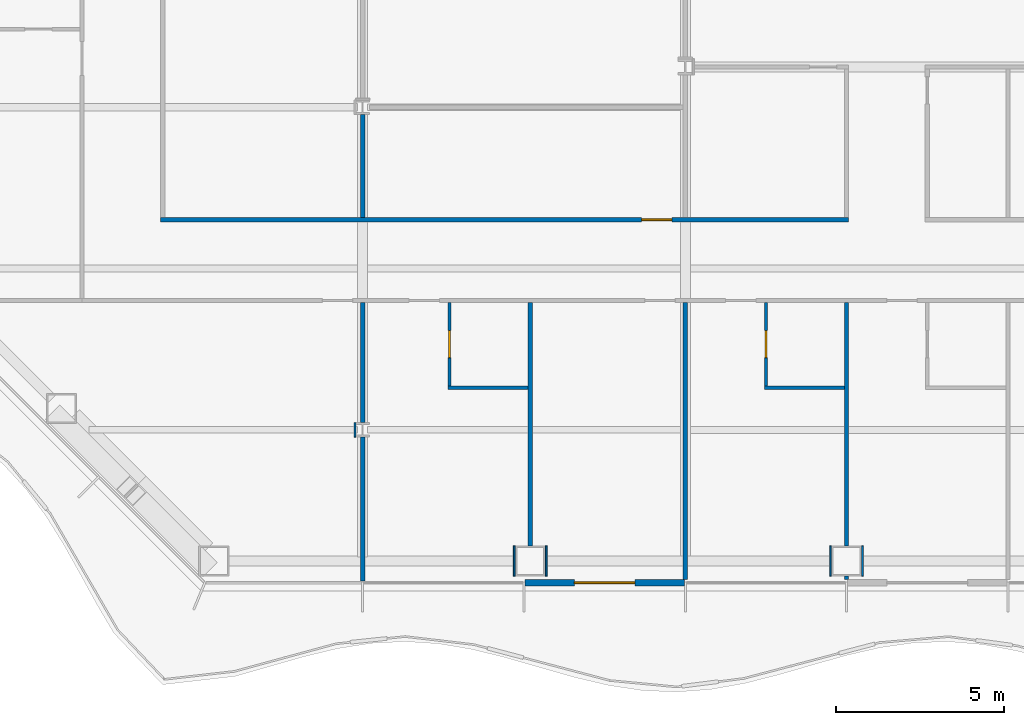
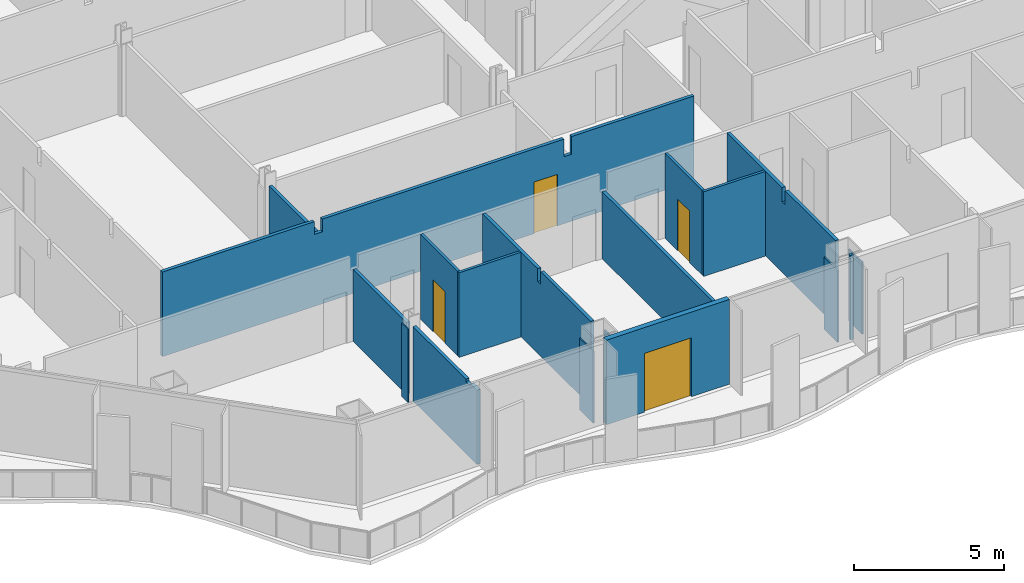
# One storey, part 6 of 20: 18 walls, 4 doors, 4 openings.
"""IFC4 building model written with IfcOpenShell, lengths in metres."""

from ifc_helpers import new_model, si_unit, direction, frame, frame_2d, origin, place, context, subcontext, project, spatial, polyline, rectangle, outline, extrude, material, layer, layer_set, type_object, element, fill, save


model = new_model("IFC4")

# Units and contexts
model_context = context("Model", 3, precision=1e-05, world=origin(), true_north=direction((0.0, 1.0)))
body_context = subcontext(model_context, "Body", "Model", "MODEL_VIEW")
ifc_project = project(units=[si_unit("LENGTHUNIT", "METRE"), si_unit("AREAUNIT", "SQUARE_METRE"), si_unit("VOLUMEUNIT", "CUBIC_METRE"), si_unit("PLANEANGLEUNIT", "RADIAN"), si_unit("MASSUNIT", "GRAM", prefix="KILO")], contexts=[model_context])

# Site, building, storey
site_placement = place(None, origin())
site = spatial("IfcSite", under=ifc_project, at=site_placement, CompositionType="ELEMENT")
building_placement = place(site_placement, origin())
building = spatial("IfcBuilding", under=site, at=building_placement, Name="Cairn Pilgrim Tower", CompositionType="ELEMENT")
storey_placement = place(building_placement, frame((0.0, 0.0, 83.39990234375)))
storey = spatial("IfcBuildingStorey", under=building, at=storey_placement, Name="L19", CompositionType="ELEMENT", Elevation=83.39990234375)

# Wall, opening, door
ifc_material_1 = material(Name="Bronze anodised aluminium insulated sandwich panel with mineral wool fill", Category="aluminium")
ifc_layer_1 = layer(ifc_material_1, 0.199951171875)
ifc_layer_set_1 = layer_set([ifc_layer_1], Name="BRONZE INFILL FRAME WALL 200")
wall_type_1 = type_object("IfcWallType", Name="BRONZE INFILL FRAME WALL 200", PredefinedType="NOTDEFINED", material=ifc_layer_set_1)
wall_1_placement = place(storey_placement, frame((-9.570068359375, -23.75, 0.0), z_axis=(0.0, 0.0, 1.0), x_axis=(1.0, 0.0, 0.0)))
wall_1 = element("IfcWall", 1, at=wall_1_placement, inside=storey, type_object=wall_type_1, Name="Bronze infill frame wall IW-S3", PredefinedType="NOTDEFINED", context=body_context, shape_type="SweptSolid", body=[
    extrude(rectangle(XDim=4.739990234375, YDim=0.199951171875, at=frame_2d((2.3701171875, 0.0))), origin(), (0.0, 0.0, 1.0), 3.4501953125),
])
opening_1_placement = place(wall_1_placement, frame((1.469970703125, 0.0, 0.0)))
opening_1 = element("IfcOpeningElement", 2, at=opening_1_placement, cuts=wall_1, Name="Opening 1903B", PredefinedType="OPENING", context=body_context, shape_type="SweptSolid", body=[
    extrude(rectangle(XDim=1.800048828125, YDim=2.39990234375, at=frame_2d((0.89990234375, 1.199951171875))), frame((0.0, 0.10986328125, 0.0), z_axis=(0.0, -1.0, 0.0), x_axis=(1.0, 0.0, 0.0)), (0.0, 0.0, 1.0), 0.219970703125),
])
ifc_material_2 = material(Name="Bronze anodised aluminium frame with tinted low-E glass", Category="aluminium")
door_type_1 = type_object("IfcDoorType", Name="BALCONY SLIDING DOOR 1800x2400", OperationType="DOUBLE_DOOR_SLIDING", PredefinedType="DOOR", material=ifc_material_2)
door_1_placement = place(opening_1_placement, origin())
door_1 = element("IfcDoor", 3, at=door_1_placement, inside=storey, type_object=door_type_1, Name="Balcony sliding door 1903B", OperationType="SINGLE_SWING_LEFT", OverallHeight=2.39990234375, OverallWidth=1.800048828125, PredefinedType="DOOR", context=body_context, shape_type="SweptSolid", body=[
    extrude(rectangle(XDim=1.800048828125, YDim=2.39990234375, at=frame_2d((0.89990234375, 1.199951171875))), frame((0.0, 0.02490234375, 0.0), z_axis=(0.0, -1.0, 0.0), x_axis=(1.0, 0.0, 0.0)), (0.0, 0.0, 1.0), 0.050048828125),
])
fill(opening_1, door_1)

# Wall
ifc_material_3 = material(Name="Gypsum partition")
ifc_layer_2 = layer(ifc_material_3, 0.10009765625)
ifc_layer_set_2 = layer_set([ifc_layer_2], Name="PARTITION 100 DRYWALL")
wall_type_2 = type_object("IfcWallType", Name="PARTITION 100 DRYWALL", PredefinedType="PARTITIONING", material=ifc_layer_set_2)
wall_2_placement = place(storey_placement, frame((-11.864013671875, -17.949951171875, 0.0), z_axis=(0.0, 0.0, 1.0), x_axis=(1.0, 0.0, 0.0)))
element("IfcWall", 4, at=wall_2_placement, inside=storey, type_object=wall_type_2, Name="PARTITION W012", PredefinedType="PARTITIONING", context=body_context, shape_type="SweptSolid", body=[
    extrude(rectangle(XDim=2.387451171875, YDim=0.10009765625, at=frame_2d((1.19384765625, 0.0))), origin(), (0.0, 0.0, 1.0), 3.4501953125),
])

# Wall, opening, door
wall_3_placement = place(storey_placement, frame((-11.81396484375, -17.89990234375, 0.0), z_axis=(0.0, 0.0, 1.0), x_axis=(0.0, 1.0, 0.0)))
wall_3 = element("IfcWall", 5, at=wall_3_placement, inside=storey, type_object=wall_type_2, Name="PARTITION W013", PredefinedType="PARTITIONING", context=body_context, shape_type="SweptSolid", body=[
    extrude(rectangle(XDim=2.4873046875, YDim=0.10009765625, at=frame_2d((1.24365234375, 0.0))), origin(), (0.0, 0.0, 1.0), 3.4501953125),
])
opening_2_placement = place(wall_3_placement, frame((0.85009765625, 0.0, 0.0)))
opening_2 = element("IfcOpeningElement", 6, at=opening_2_placement, cuts=wall_3, Name="Opening 1902E", PredefinedType="OPENING", context=body_context, shape_type="SweptSolid", body=[
    extrude(rectangle(XDim=0.800048828125, YDim=2.10009765625, at=frame_2d((0.39990234375, 1.050048828125))), frame((0.0, 0.06005859375, 0.0), z_axis=(0.0, -1.0, 0.0), x_axis=(1.0, 0.0, 0.0)), (0.0, 0.0, 1.0), 0.1201171875),
])
ifc_material_4 = material(Name="Timber door leaf", Category="wood")
door_type_2 = type_object("IfcDoorType", Name="DOOR 800x2100", OperationType="NOTDEFINED", PredefinedType="DOOR", material=ifc_material_4)
door_2_placement = place(opening_2_placement, frame((0.800048828125, 0.0, 0.0), z_axis=(0.0, 0.0, 1.0), x_axis=(-1.0, 0.0, 0.0)))
door_2 = element("IfcDoor", 7, at=door_2_placement, inside=storey, type_object=door_type_2, Name="DOOR 1902E", OperationType="SINGLE_SWING_RIGHT", OverallHeight=2.10009765625, OverallWidth=0.800048828125, PredefinedType="DOOR", context=body_context, shape_type="SweptSolid", body=[
    extrude(rectangle(XDim=0.800048828125, YDim=2.10009765625, at=frame_2d((0.39990234375, 1.050048828125))), frame((0.0, 0.02490234375, 0.0), z_axis=(0.0, -1.0, 0.0), x_axis=(1.0, 0.0, 0.0)), (0.0, 0.0, 1.0), 0.050048828125),
])
fill(opening_2, door_2)

# Wall
wall_4_placement = place(storey_placement, frame((-2.449951171875, -17.949951171875, 0.0), z_axis=(0.0, 0.0, 1.0), x_axis=(1.0, 0.0, 0.0)))
element("IfcWall", 8, at=wall_4_placement, inside=storey, type_object=wall_type_2, Name="PARTITION W014", PredefinedType="PARTITIONING", context=body_context, shape_type="SweptSolid", body=[
    extrude(rectangle(XDim=2.387451171875, YDim=0.10009765625, at=frame_2d((1.19384765625, 0.0))), origin(), (0.0, 0.0, 1.0), 3.4501953125),
])

# Wall, opening, door
wall_5_placement = place(storey_placement, frame((-2.39990234375, -17.89990234375, 0.0), z_axis=(0.0, 0.0, 1.0), x_axis=(0.0, 1.0, 0.0)))
wall_5 = element("IfcWall", 9, at=wall_5_placement, inside=storey, type_object=wall_type_2, Name="PARTITION W015", PredefinedType="PARTITIONING", context=body_context, shape_type="SweptSolid", body=[
    extrude(rectangle(XDim=2.4873046875, YDim=0.10009765625, at=frame_2d((1.24365234375, 0.0))), origin(), (0.0, 0.0, 1.0), 3.4501953125),
])
opening_3_placement = place(wall_5_placement, frame((0.85009765625, 0.0, 0.0)))
opening_3 = element("IfcOpeningElement", 10, at=opening_3_placement, cuts=wall_5, Name="Opening 1904E", PredefinedType="OPENING", context=body_context, shape_type="SweptSolid", body=[
    extrude(rectangle(XDim=0.800048828125, YDim=2.10009765625, at=frame_2d((0.39990234375, 1.050048828125))), frame((0.0, 0.06005859375, 0.0), z_axis=(0.0, -1.0, 0.0), x_axis=(1.0, 0.0, 0.0)), (0.0, 0.0, 1.0), 0.1201171875),
])
door_3_placement = place(opening_3_placement, frame((0.800048828125, 0.0, 0.0), z_axis=(0.0, 0.0, 1.0), x_axis=(-1.0, 0.0, 0.0)))
door_3 = element("IfcDoor", 11, at=door_3_placement, inside=storey, type_object=door_type_2, Name="DOOR 1904E", OperationType="SINGLE_SWING_LEFT", OverallHeight=2.10009765625, OverallWidth=0.800048828125, PredefinedType="DOOR", context=body_context, shape_type="SweptSolid", body=[
    extrude(rectangle(XDim=0.800048828125, YDim=2.10009765625, at=frame_2d((0.39990234375, 1.050048828125))), frame((0.0, 0.02490234375, 0.0), z_axis=(0.0, -1.0, 0.0), x_axis=(1.0, 0.0, 0.0)), (0.0, 0.0, 1.0), 0.050048828125),
])
fill(opening_3, door_3)

# Walls
ifc_layer_3 = layer(ifc_material_3, 0.125)
ifc_layer_set_3 = layer_set([ifc_layer_3], Name="PARTITION 125 DRYWALL EI 60")
wall_type_3 = type_object("IfcWallType", Name="PARTITION 125 DRYWALL EI 60", PredefinedType="PARTITIONING", material=ifc_layer_set_3)
wall_6_placement = place(storey_placement, frame((-14.39990234375, -23.68994140625, 0.0), z_axis=(0.0, 0.0, 1.0), x_axis=(0.0, 1.0, 0.0)))
element("IfcWall", 12, at=wall_6_placement, inside=storey, type_object=wall_type_3, Name="PARTITION W001", PredefinedType="PARTITIONING", context=body_context, shape_type="SweptSolid", body=[
    extrude(outline(polyline([(0.0, 0.0), (4.27734375, 0.0), (4.277587890625, 3.030029296875), (0.739990234375, 3.030029296875), (0.738037109375, 2.93017578125), (0.43994140625, 2.93017578125), (0.43798828125, 3.030029296875), (0.0, 3.030029296875), (0.0, 0.0)])), frame((0.0, 0.0625, 0.0), z_axis=(0.0, -1.0, 0.0), x_axis=(1.0, 0.0, 0.0)), (0.0, 0.0, 1.0), 0.125),
])
wall_7_placement = place(storey_placement, frame((-4.800048828125, -23.64990234375, 0.0), z_axis=(0.0, 0.0, 1.0), x_axis=(0.0, 1.0, 0.0)))
element("IfcWall", 13, at=wall_7_placement, inside=storey, type_object=wall_type_3, Name="PARTITION W002", PredefinedType="PARTITIONING", context=body_context, shape_type="SweptSolid", body=[
    extrude(rectangle(XDim=8.2373046875, YDim=0.125, at=frame_2d((4.11865234375, 0.0))), origin(), (0.0, 0.0, 1.0), 2.72998046875),
])
wall_8_placement = place(storey_placement, frame((0.0, -23.64990234375, 0.0), z_axis=(0.0, 0.0, 1.0), x_axis=(0.0, 1.0, 0.0)))
element("IfcWall", 14, at=wall_8_placement, inside=storey, type_object=wall_type_3, Name="PARTITION W003", PredefinedType="PARTITIONING", context=body_context, shape_type="SweptSolid", body=[
    extrude(rectangle(XDim=0.099853515625, YDim=0.125, at=frame_2d((0.0498046875, 0.0))), origin(), (0.0, 0.0, 1.0), 3.4501953125),
])
wall_9_placement = place(storey_placement, frame((0.0, -22.64990234375, 0.0), z_axis=(0.0, 0.0, 1.0), x_axis=(0.0, 1.0, 0.0)))
element("IfcWall", 15, at=wall_9_placement, inside=storey, type_object=wall_type_3, Name="PARTITION W007", PredefinedType="PARTITIONING", context=body_context, shape_type="SweptSolid", body=[
    extrude(outline(polyline([(0.0, 0.0), (7.2373046875, 0.0), (7.237548828125, 3.4501953125), (3.554931640625, 3.4501953125), (3.552978515625, 2.880126953125), (3.344970703125, 2.880126953125), (3.343017578125, 3.4501953125), (0.0, 3.4501953125), (0.0, 0.0)])), frame((0.0, 0.0625, 0.0), z_axis=(0.0, -1.0, 0.0), x_axis=(1.0, 0.0, 0.0)), (0.0, 0.0, 1.0), 0.125),
])
wall_10_placement = place(storey_placement, frame((-9.4140625, -22.64990234375, 0.0), z_axis=(0.0, 0.0, 1.0), x_axis=(0.0, 1.0, 0.0)))
element("IfcWall", 16, at=wall_10_placement, inside=storey, type_object=wall_type_3, Name="PARTITION W008", PredefinedType="PARTITIONING", context=body_context, shape_type="SweptSolid", body=[
    extrude(outline(polyline([(0.0, 0.0), (7.2373046875, 0.0), (7.237548828125, 3.4501953125), (3.550048828125, 3.4501953125), (3.548095703125, 2.93017578125), (3.35009765625, 2.93017578125), (3.347900390625, 3.4501953125), (0.0, 3.4501953125), (0.0, 0.0)])), frame((0.0, 0.0625, 0.0), z_axis=(0.0, -1.0, 0.0), x_axis=(1.0, 0.0, 0.0)), (0.0, 0.0, 1.0), 0.125),
])
wall_11_placement = place(storey_placement, frame((-14.39990234375, -18.987548828125, 0.0), z_axis=(0.0, 0.0, 1.0), x_axis=(0.0, 1.0, 0.0)))
element("IfcWall", 17, at=wall_11_placement, inside=storey, type_object=wall_type_3, Name="PARTITION W011", PredefinedType="PARTITIONING", context=body_context, shape_type="SweptSolid", body=[
    extrude(rectangle(XDim=3.574951171875, YDim=0.125, at=frame_2d((1.78759765625, 0.0))), origin(), (0.0, 0.0, 1.0), 2.93017578125),
])

# Wall, opening, door
wall_12_placement = place(storey_placement, frame((-20.41259765625, -12.949951171875, 0.0), z_axis=(0.0, 0.0, 1.0), x_axis=(1.0, 0.0, 0.0)))
wall_12 = element("IfcWall", 18, at=wall_12_placement, inside=storey, type_object=wall_type_3, Name="PARTITION W026", PredefinedType="PARTITIONING", context=body_context, shape_type="SweptSolid", body=[
    extrude(outline(polyline([(0.0, 0.0), (20.47509765625, 0.0), (20.47509765625, 3.4501953125), (15.762451171875, 3.4501953125), (15.760498046875, 2.72998046875), (15.46240234375, 2.72998046875), (15.46044921875, 3.4501953125), (6.16259765625, 3.4501953125), (6.160400390625, 2.93017578125), (5.862548828125, 2.93017578125), (5.860595703125, 3.4501953125), (0.0, 3.4501953125), (0.0, 0.0)])), frame((0.0, 0.0625, 0.0), z_axis=(0.0, -1.0, 0.0), x_axis=(1.0, 0.0, 0.0)), (0.0, 0.0, 1.0), 0.125),
])
opening_4_placement = place(wall_12_placement, frame((14.3125, 0.0, 0.0)))
opening_4 = element("IfcOpeningElement", 19, at=opening_4_placement, cuts=wall_12, Name="Opening 1926", PredefinedType="OPENING", context=body_context, shape_type="SweptSolid", body=[
    extrude(rectangle(XDim=0.89990234375, YDim=2.10009765625, at=frame_2d((0.449951171875, 1.050048828125))), frame((0.0, 0.072509765625, 0.0), z_axis=(0.0, -1.0, 0.0), x_axis=(1.0, 0.0, 0.0)), (0.0, 0.0, 1.0), 0.14501953125),
])
ifc_material_5 = material(Name="Steel-faced fire door leaf", Category="steel")
door_type_3 = type_object("IfcDoorType", Name="FIRE DOOR 900x2100 FD30S", OperationType="NOTDEFINED", PredefinedType="DOOR", material=ifc_material_5)
door_4_placement = place(opening_4_placement, origin())
door_4 = element("IfcDoor", 20, at=door_4_placement, inside=storey, type_object=door_type_3, Name="DOOR 1926", OperationType="SINGLE_SWING_LEFT", OverallHeight=2.10009765625, OverallWidth=0.89990234375, PredefinedType="DOOR", context=body_context, shape_type="SweptSolid", body=[
    extrude(rectangle(XDim=0.89990234375, YDim=2.10009765625, at=frame_2d((0.449951171875, 1.050048828125))), frame((0.0, 0.02490234375, 0.0), z_axis=(0.0, -1.0, 0.0), x_axis=(1.0, 0.0, 0.0)), (0.0, 0.0, 1.0), 0.050048828125),
])
fill(opening_4, door_4)

# Walls
wall_13_placement = place(storey_placement, frame((-14.39990234375, -12.887451171875, 0.0), z_axis=(0.0, 0.0, 1.0), x_axis=(0.0, 1.0, 0.0)))
element("IfcWall", 21, at=wall_13_placement, inside=storey, type_object=wall_type_3, Name="PARTITION W029", PredefinedType="PARTITIONING", context=body_context, shape_type="SweptSolid", body=[
    extrude(rectangle(XDim=3.074951171875, YDim=0.125, at=frame_2d((1.53759765625, 0.0))), origin(), (0.0, 0.0, 1.0), 2.93017578125),
])
ifc_layer_4 = layer(ifc_material_3, 0.050048828125)
ifc_layer_set_4 = layer_set([ifc_layer_4], Name="PARTITION 50 DRYWALL EI 60")
wall_type_4 = type_object("IfcWallType", Name="PARTITION 50 DRYWALL EI 60", PredefinedType="PARTITIONING", material=ifc_layer_set_4)
wall_14_placement = place(storey_placement, frame((-14.62939453125, -19.41259765625, 0.0), z_axis=(0.0, 0.0, 1.0), x_axis=(0.0, 1.0, 0.0)))
element("IfcWall", 22, at=wall_14_placement, inside=storey, type_object=wall_type_4, Name="COLUMN CASING WC01", PredefinedType="PARTITIONING", context=body_context, shape_type="SweptSolid", body=[
    extrude(rectangle(XDim=0.425048828125, YDim=0.050048828125, at=frame_2d((0.21240234375, 0.0))), origin(), (0.0, 0.0, 1.0), 2.97998046875),
])
for number, where, z_axis, x_axis, name in (
    (23, (-0.47509765625, -23.550048828125, 0.0), (0.0, 0.0, 1.0), (0.0, 1.0, 0.0), "COLUMN CASING WC02"),
    (24, (0.47509765625, -23.550048828125, 0.0), (0.0, 0.0, 1.0), (0.0, 1.0, 0.0), "COLUMN CASING WC03"),
    (25, (-9.888671875, -23.550048828125, 0.0), (0.0, 0.0, 1.0), (0.0, 1.0, 0.0), "COLUMN CASING WC06"),
    (26, (-8.938720703125, -23.550048828125, 0.0), (0.0, 0.0, 1.0), (0.0, 1.0, 0.0), "COLUMN CASING WC07"),
):
    element("IfcWall", number, at=place(storey_placement, frame(where, z_axis=z_axis, x_axis=x_axis)), inside=storey, type_object=wall_type_4, Name=name, PredefinedType="PARTITIONING", context=body_context, shape_type="SweptSolid", body=[
        extrude(rectangle(XDim=0.900146484375, YDim=0.050048828125, at=frame_2d((0.4501953125, 0.0))), origin(), (0.0, 0.0, 1.0), 2.93017578125),
    ])

save(model, "model.ifc")
